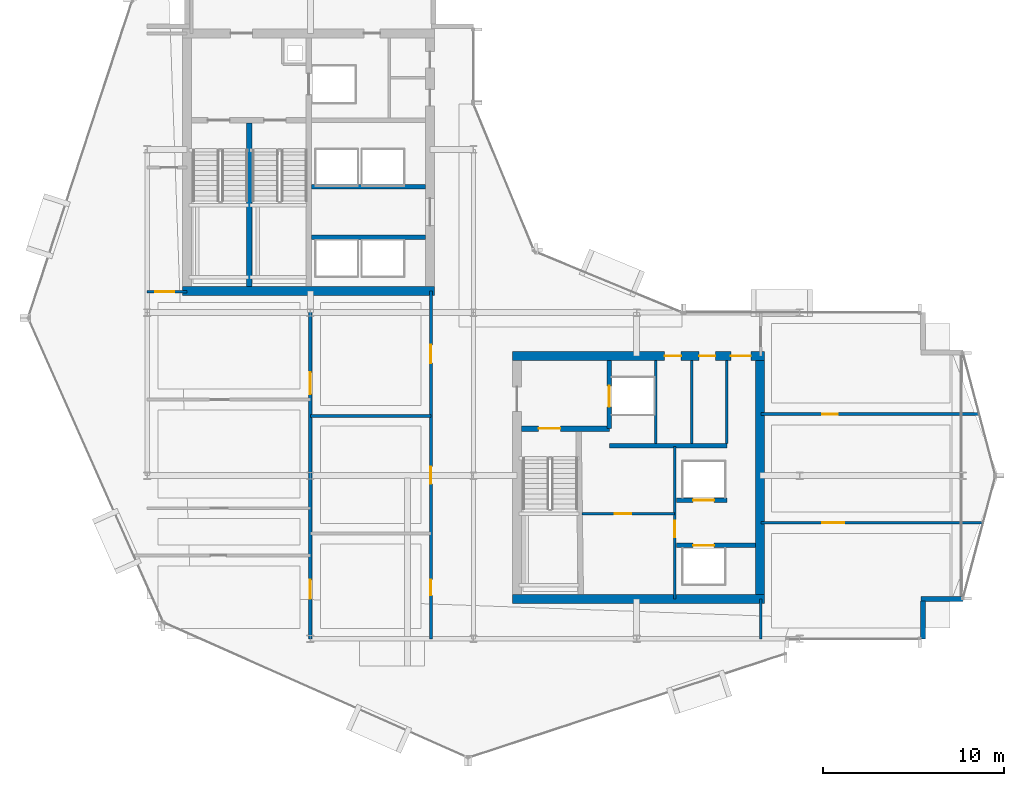
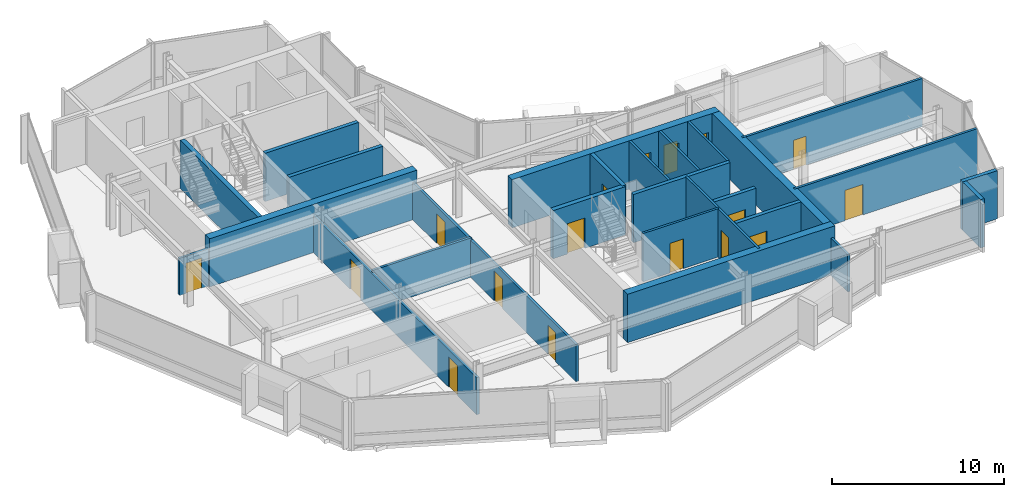
# One storey, part 20 of 27: 26 walls, 17 doors, 17 openings.
"""IFC4 building model written with IfcOpenShell, lengths in metres."""

from ifc_helpers import new_model, si_unit, direction, frame, frame_2d, origin, place, context, subcontext, project, spatial, rectangle, extrude, material, layer, layer_set, type_object, element, fill, save


model = new_model("IFC4")

# Units and contexts
model_context = context("Model", 3, precision=1e-05, world=origin(), true_north=direction((0.0, 1.0)))
body_context = subcontext(model_context, "Body", "Model", "MODEL_VIEW")
ifc_project = project(units=[si_unit("LENGTHUNIT", "METRE"), si_unit("AREAUNIT", "SQUARE_METRE"), si_unit("VOLUMEUNIT", "CUBIC_METRE"), si_unit("PLANEANGLEUNIT", "RADIAN"), si_unit("MASSUNIT", "GRAM", prefix="KILO")], contexts=[model_context])

# Site, building, storey
site_placement = place(None, origin())
site = spatial("IfcSite", under=ifc_project, at=site_placement, CompositionType="ELEMENT")
building_placement = place(site_placement, origin())
building = spatial("IfcBuilding", under=site, at=building_placement, Name="Solvaryn Broadcast Tower", CompositionType="ELEMENT")
storey_placement = place(building_placement, frame((0.0, 0.0, 174.199951171875)))
storey = spatial("IfcBuildingStorey", under=building, at=storey_placement, Name="L43", CompositionType="ELEMENT", Elevation=174.199951171875)

# Walls
ifc_material_1 = material(Name="Concrete f'c 70 MPa", Category="concrete")
ifc_layer_1 = layer(ifc_material_1, 0.5)
ifc_layer_set_1 = layer_set([ifc_layer_1], Name="CW-SHEAR-500")
wall_type_1 = type_object("IfcWallType", Name="CW-SHEAR-500", PredefinedType="SHEAR", material=ifc_layer_set_1)
for number, where, z_axis, x_axis, name in (
    (1, (10.949951171875, 28.199951171875, 0.0), (0.0, 0.0, 1.0), (1.0, 0.0, 0.0), "L43 West Core South Shear Wall"),
    (2, (29.14990234375, 11.199951171875, 0.0), (0.0, 0.0, 1.0), (1.0, 0.0, 0.0), "L43 East Core South Shear Wall"),
):
    element("IfcWall", number, at=place(storey_placement, frame(where, z_axis=z_axis, x_axis=x_axis)), inside=storey, type_object=wall_type_1, Name=name, PredefinedType="SHEAR", context=body_context, shape_type="SweptSolid", body=[
        extrude(rectangle(XDim=13.900146484375, YDim=0.5, at=frame_2d((6.9501953125, 0.0))), origin(), (0.0, 0.0, 1.0), 3.420166015625),
    ])

# Wall, openings, doors
wall_1_placement = place(storey_placement, frame((43.050048828125, 24.60009765625, 0.0), z_axis=(0.0, 0.0, 1.0), x_axis=(-1.0, 0.0, 0.0)))
wall_1 = element("IfcWall", 3, at=wall_1_placement, inside=storey, type_object=wall_type_1, Name="L43 East Core North Shear Wall", PredefinedType="SHEAR", context=body_context, shape_type="SweptSolid", body=[
    extrude(rectangle(XDim=13.900146484375, YDim=0.5, at=frame_2d((6.9501953125, 0.0))), origin(), (0.0, 0.0, 1.0), 3.420166015625),
])
opening_1_placement = place(wall_1_placement, frame((0.75, 0.0, 0.0)))
opening_1 = element("IfcOpeningElement", 4, at=opening_1_placement, cuts=wall_1, Name="Opening FD90C", PredefinedType="OPENING", context=body_context, shape_type="SweptSolid", body=[
    extrude(rectangle(XDim=1.10009765625, YDim=2.14990234375, at=frame_2d((0.550048828125, 1.074951171875))), frame((0.0, 0.260009765625, 0.0), z_axis=(0.0, -1.0, 0.0), x_axis=(1.0, 0.0, 0.0)), (0.0, 0.0, 1.0), 0.52001953125),
])
opening_2_placement = place(wall_1_placement, frame((2.699951171875, 0.0, 0.0)))
opening_2 = element("IfcOpeningElement", 5, at=opening_2_placement, cuts=wall_1, Name="Opening FD60C", PredefinedType="OPENING", context=body_context, shape_type="SweptSolid", body=[
    extrude(rectangle(XDim=0.89990234375, YDim=2.10009765625, at=frame_2d((0.449951171875, 1.050048828125))), frame((0.0, 0.260009765625, 0.0), z_axis=(0.0, -1.0, 0.0), x_axis=(1.0, 0.0, 0.0)), (0.0, 0.0, 1.0), 0.52001953125),
])
opening_3_placement = place(wall_1_placement, frame((4.60009765625, 0.0, 0.0)))
opening_3 = element("IfcOpeningElement", 6, at=opening_3_placement, cuts=wall_1, Name="Opening FD60C", PredefinedType="OPENING", context=body_context, shape_type="SweptSolid", body=[
    extrude(rectangle(XDim=0.89990234375, YDim=2.10009765625, at=frame_2d((0.449951171875, 1.050048828125))), frame((0.0, 0.260009765625, 0.0), z_axis=(0.0, -1.0, 0.0), x_axis=(1.0, 0.0, 0.0)), (0.0, 0.0, 1.0), 0.52001953125),
])
ifc_material_2 = material(Name="Flush Acoustic Steel and Timber Door Assembly", Category="steel")
door_type_1 = type_object("IfcDoorType", Name="FD60-SERV-900X2100", OperationType="NOTDEFINED", PredefinedType="DOOR", material=ifc_material_2)
door_1_placement = place(opening_2_placement, origin())
door_1 = element("IfcDoor", 7, at=door_1_placement, inside=storey, type_object=door_type_1, Name="L43 Staff Restroom Door", OperationType="SINGLE_SWING_LEFT", OverallHeight=2.10009765625, OverallWidth=0.89990234375, PredefinedType="DOOR", context=body_context, shape_type="SweptSolid", body=[
    extrude(rectangle(XDim=0.89990234375, YDim=2.10009765625, at=frame_2d((0.449951171875, 1.050048828125))), frame((0.0, 0.02490234375, 0.0), z_axis=(0.0, -1.0, 0.0), x_axis=(1.0, 0.0, 0.0)), (0.0, 0.0, 1.0), 0.050048828125),
])
fill(opening_2, door_1)
door_2_placement = place(opening_3_placement, origin())
door_2 = element("IfcDoor", 8, at=door_2_placement, inside=storey, type_object=door_type_1, Name="L43 Accessible WC Door", OperationType="SINGLE_SWING_RIGHT", OverallHeight=2.10009765625, OverallWidth=0.89990234375, PredefinedType="DOOR", context=body_context, shape_type="SweptSolid", body=[
    extrude(rectangle(XDim=0.89990234375, YDim=2.10009765625, at=frame_2d((0.449951171875, 1.050048828125))), frame((0.0, 0.02490234375, 0.0), z_axis=(0.0, -1.0, 0.0), x_axis=(1.0, 0.0, 0.0)), (0.0, 0.0, 1.0), 0.050048828125),
])
fill(opening_3, door_2)
ifc_material_3 = material(Name="Flush Acoustic Steel and Timber Door Assembly", Category="steel")
door_type_2 = type_object("IfcDoorType", Name="FD90-PLANT-1100X2150", OperationType="NOTDEFINED", PredefinedType="DOOR", material=ifc_material_3)
door_3_placement = place(opening_1_placement, origin())
door_3 = element("IfcDoor", 9, at=door_3_placement, inside=storey, type_object=door_type_2, Name="L43 East Core Lobby Corridor Door", OperationType="SINGLE_SWING_LEFT", OverallHeight=2.14990234375, OverallWidth=1.10009765625, PredefinedType="DOOR", context=body_context, shape_type="SweptSolid", body=[
    extrude(rectangle(XDim=1.10009765625, YDim=2.14990234375, at=frame_2d((0.550048828125, 1.074951171875))), frame((0.0, 0.02490234375, 0.0), z_axis=(0.0, -1.0, 0.0), x_axis=(1.0, 0.0, 0.0)), (0.0, 0.0, 1.0), 0.050048828125),
])
fill(opening_1, door_3)

# Walls
wall_2_placement = place(storey_placement, frame((42.800048828125, 11.449951171875, 0.0), z_axis=(0.0, 0.0, 1.0), x_axis=(0.0, 1.0, 0.0)))
element("IfcWall", 10, at=wall_2_placement, inside=storey, type_object=wall_type_1, Name="L43 East Core East Shear Wall", PredefinedType="SHEAR", context=body_context, shape_type="SweptSolid", body=[
    extrude(rectangle(XDim=12.900146484375, YDim=0.5, at=frame_2d((6.4501953125, 0.0))), origin(), (0.0, 0.0, 1.0), 3.420166015625),
])
ifc_material_4 = material(Name="Concrete f'c 50 MPa", Category="concrete")
ifc_layer_2 = layer(ifc_material_4, 0.260009765625)
ifc_layer_set_2 = layer_set([ifc_layer_2], Name="EW-PIER-260")
wall_type_2 = type_object("IfcWallType", Name="EW-PIER-260", PredefinedType="SOLIDWALL", material=ifc_layer_set_2)
wall_3_placement = place(storey_placement, frame((51.800048828125, 9.0, 0.0), z_axis=(0.0, 0.0, 1.0), x_axis=(0.0, 1.0, 0.0)))
element("IfcWall", 11, at=wall_3_placement, inside=storey, type_object=wall_type_2, Name="L43 Notched Corner Pier Wall NSE1", PredefinedType="SOLIDWALL", context=body_context, shape_type="SweptSolid", body=[
    extrude(rectangle(XDim=2.080078125, YDim=0.260009765625, at=frame_2d((1.0400390625, 0.0))), origin(), (0.0, 0.0, 1.0), 3.420166015625),
])
wall_4_placement = place(storey_placement, frame((51.679931640625, 11.199951171875, 0.0), z_axis=(0.0, 0.0, 1.0), x_axis=(1.0, 0.0, 0.0)))
element("IfcWall", 12, at=wall_4_placement, inside=storey, type_object=wall_type_2, Name="L43 Notched Corner Pier Wall NSE2", PredefinedType="SOLIDWALL", context=body_context, shape_type="SweptSolid", body=[
    extrude(rectangle(XDim=2.320068359375, YDim=0.260009765625, at=frame_2d((1.16015625, 0.0))), origin(), (0.0, 0.0, 1.0), 3.420166015625),
])

# Wall, opening, door
ifc_material_5 = material(Name="Metal-Stud Service Core Partition")
ifc_layer_3 = layer(ifc_material_5, 0.14990234375)
ifc_layer_set_3 = layer_set([ifc_layer_3], Name="IW-PART-150")
wall_type_3 = type_object("IfcWallType", Name="IW-PART-150", PredefinedType="PARTITIONING", material=ifc_layer_set_3)
wall_5_placement = place(storey_placement, frame((33.0, 15.89990234375, 0.0), z_axis=(0.0, 0.0, 1.0), x_axis=(1.0, 0.0, 0.0)))
wall_5 = element("IfcWall", 13, at=wall_5_placement, inside=storey, type_object=wall_type_3, Name="L43 Interior Partition IW-L43-RPL-H", PredefinedType="PARTITIONING", context=body_context, shape_type="SweptSolid", body=[
    extrude(rectangle(XDim=5.10009765625, YDim=0.14990234375, at=frame_2d((2.550048828125, 0.0))), origin(), (0.0, 0.0, 1.0), 3.420166015625),
])
opening_4_placement = place(wall_5_placement, frame((1.800048828125, 0.0, 0.0)))
opening_4 = element("IfcOpeningElement", 14, at=opening_4_placement, cuts=wall_5, Name="Opening FD60C", PredefinedType="OPENING", context=body_context, shape_type="SweptSolid", body=[
    extrude(rectangle(XDim=0.89990234375, YDim=2.10009765625, at=frame_2d((0.449951171875, 1.050048828125))), frame((0.0, 0.0849609375, 0.0), z_axis=(0.0, -1.0, 0.0), x_axis=(1.0, 0.0, 0.0)), (0.0, 0.0, 1.0), 0.169921875),
])
door_4_placement = place(opening_4_placement, origin())
door_4 = element("IfcDoor", 15, at=door_4_placement, inside=storey, type_object=door_type_1, Name="L43 Door DR-L43-RPL1", OperationType="SINGLE_SWING_LEFT", OverallHeight=2.10009765625, OverallWidth=0.89990234375, PredefinedType="DOOR", context=body_context, shape_type="SweptSolid", body=[
    extrude(rectangle(XDim=0.89990234375, YDim=2.10009765625, at=frame_2d((0.449951171875, 1.050048828125))), frame((0.0, 0.02490234375, 0.0), z_axis=(0.0, -1.0, 0.0), x_axis=(1.0, 0.0, 0.0)), (0.0, 0.0, 1.0), 0.050048828125),
])
fill(opening_4, door_4)

wall_6_placement = place(storey_placement, frame((38.10009765625, 11.199951171875, 0.0), z_axis=(0.0, 0.0, 1.0), x_axis=(0.0, 1.0, 0.0)))
wall_6 = element("IfcWall", 16, at=wall_6_placement, inside=storey, type_object=wall_type_3, Name="L43 Interior Partition IW-L43-RPL-E", PredefinedType="PARTITIONING", context=body_context, shape_type="SweptSolid", body=[
    extrude(rectangle(XDim=8.400146484375, YDim=0.14990234375, at=frame_2d((4.2001953125, 0.0))), origin(), (0.0, 0.0, 1.0), 3.420166015625),
])
opening_5_placement = place(wall_6_placement, frame((3.39990234375, 0.0, 0.0)))
opening_5 = element("IfcOpeningElement", 17, at=opening_5_placement, cuts=wall_6, Name="Opening FD60C", PredefinedType="OPENING", context=body_context, shape_type="SweptSolid", body=[
    extrude(rectangle(XDim=0.89990234375, YDim=2.10009765625, at=frame_2d((0.449951171875, 1.050048828125))), frame((0.0, 0.0849609375, 0.0), z_axis=(0.0, -1.0, 0.0), x_axis=(1.0, 0.0, 0.0)), (0.0, 0.0, 1.0), 0.169921875),
])
door_5_placement = place(opening_5_placement, origin())
door_5 = element("IfcDoor", 18, at=door_5_placement, inside=storey, type_object=door_type_1, Name="L43 Door DR-L43-RPL2", OperationType="SINGLE_SWING_RIGHT", OverallHeight=2.10009765625, OverallWidth=0.89990234375, PredefinedType="DOOR", context=body_context, shape_type="SweptSolid", body=[
    extrude(rectangle(XDim=0.89990234375, YDim=2.10009765625, at=frame_2d((0.449951171875, 1.050048828125))), frame((0.0, 0.02490234375, 0.0), z_axis=(0.0, -1.0, 0.0), x_axis=(1.0, 0.0, 0.0)), (0.0, 0.0, 1.0), 0.050048828125),
])
fill(opening_5, door_5)

# Walls
for number, where, z_axis, x_axis, name in (
    (19, (37.050048828125, 19.780029296875, 0.0), (0.0, 0.0, 1.0), (0.0, 1.0, 0.0), "L43 Interior Partition IW-L43-CE-FL2E"),
    (20, (39.050048828125, 19.780029296875, 0.0), (0.0, 0.0, 1.0), (0.0, 1.0, 0.0), "L43 Interior Partition IW-L43-CE-V1"),
    (21, (40.97998046875, 19.780029296875, 0.0), (0.0, 0.0, 1.0), (0.0, 1.0, 0.0), "L43 Interior Partition IW-L43-CE-V3"),
):
    element("IfcWall", number, at=place(storey_placement, frame(where, z_axis=z_axis, x_axis=x_axis)), inside=storey, type_object=wall_type_3, Name=name, PredefinedType="PARTITIONING", context=body_context, shape_type="SweptSolid", body=[
        extrude(rectangle(XDim=4.570068359375, YDim=0.14990234375, at=frame_2d((2.28515625, 0.0))), origin(), (0.0, 0.0, 1.0), 3.420166015625),
    ])

# Wall, opening, door
ifc_material_6 = material(Name="Metal-Stud Gypsum Office Partition")
ifc_layer_4 = layer(ifc_material_6, 0.159912109375)
ifc_layer_set_4 = layer_set([ifc_layer_4], Name="IW-PART-160")
wall_type_4 = type_object("IfcWallType", Name="IW-PART-160", PredefinedType="PARTITIONING", material=ifc_layer_set_4)
wall_7_placement = place(storey_placement, frame((9.0, 28.14990234375, 0.0), z_axis=(0.0, 0.0, 1.0), x_axis=(1.0, 0.0, 0.0)))
wall_7 = element("IfcWall", 22, at=wall_7_placement, inside=storey, type_object=wall_type_4, Name="L43 Interior Partition IW-L43-WM-S", PredefinedType="PARTITIONING", context=body_context, shape_type="SweptSolid", body=[
    extrude(rectangle(XDim=2.199951171875, YDim=0.159912109375, at=frame_2d((1.10009765625, 0.0))), origin(), (0.0, 0.0, 1.0), 2.634033203125),
])
opening_6_placement = place(wall_7_placement, frame((0.449951171875, 0.0, 0.0)))
opening_6 = element("IfcOpeningElement", 23, at=opening_6_placement, cuts=wall_7, Name="Opening ID03", PredefinedType="OPENING", context=body_context, shape_type="SweptSolid", body=[
    extrude(rectangle(XDim=1.050048828125, YDim=2.14990234375, at=frame_2d((0.52490234375, 1.074951171875))), frame((0.0, 0.090087890625, 0.0), z_axis=(0.0, -1.0, 0.0), x_axis=(1.0, 0.0, 0.0)), (0.0, 0.0, 1.0), 0.179931640625),
])
ifc_material_7 = material(Name="Flush Acoustic Steel and Timber Door Assembly", Category="steel")
door_type_3 = type_object("IfcDoorType", Name="ID-03-1050X2150", OperationType="NOTDEFINED", PredefinedType="DOOR", material=ifc_material_7)
door_6_placement = place(opening_6_placement, origin())
door_6 = element("IfcDoor", 24, at=door_6_placement, inside=storey, type_object=door_type_3, Name="L43 Door DR-L43-WM0", OperationType="SINGLE_SWING_RIGHT", OverallHeight=2.14990234375, OverallWidth=1.050048828125, PredefinedType="DOOR", context=body_context, shape_type="SweptSolid", body=[
    extrude(rectangle(XDim=1.050048828125, YDim=2.14990234375, at=frame_2d((0.52490234375, 1.074951171875))), frame((0.0, 0.02490234375, 0.0), z_axis=(0.0, -1.0, 0.0), x_axis=(1.0, 0.0, 0.0)), (0.0, 0.0, 1.0), 0.050048828125),
])
fill(opening_6, door_6)

# Wall, openings, doors
wall_8_placement = place(storey_placement, frame((24.64990234375, 9.0, 0.0), z_axis=(0.0, 0.0, 1.0), x_axis=(0.0, 1.0, 0.0)))
wall_8 = element("IfcWall", 25, at=wall_8_placement, inside=storey, type_object=wall_type_4, Name="L43 Interior Partition IW-L43-SW-EB", PredefinedType="PARTITIONING", context=body_context, shape_type="SweptSolid", body=[
    extrude(rectangle(XDim=19.199951171875, YDim=0.159912109375, at=frame_2d((9.60009765625, 0.0))), origin(), (0.0, 0.0, 1.0), 2.634033203125),
])
opening_7_placement = place(wall_8_placement, frame((2.39990234375, 0.0, 0.0)))
opening_7 = element("IfcOpeningElement", 26, at=opening_7_placement, cuts=wall_8, Name="Opening ID07", PredefinedType="OPENING", context=body_context, shape_type="SweptSolid", body=[
    extrude(rectangle(XDim=0.860107421875, YDim=2.050048828125, at=frame_2d((0.43017578125, 1.02490234375))), frame((0.0, 0.090087890625, 0.0), z_axis=(0.0, -1.0, 0.0), x_axis=(1.0, 0.0, 0.0)), (0.0, 0.0, 1.0), 0.179931640625),
])
opening_8_placement = place(wall_8_placement, frame((8.550048828125, 0.0, 0.0)))
opening_8 = element("IfcOpeningElement", 27, at=opening_8_placement, cuts=wall_8, Name="Opening ID01", PredefinedType="OPENING", context=body_context, shape_type="SweptSolid", body=[
    extrude(rectangle(XDim=0.949951171875, YDim=2.10009765625, at=frame_2d((0.47509765625, 1.050048828125))), frame((0.0, 0.090087890625, 0.0), z_axis=(0.0, -1.0, 0.0), x_axis=(1.0, 0.0, 0.0)), (0.0, 0.0, 1.0), 0.179931640625),
])
opening_9_placement = place(wall_8_placement, frame((15.215087890625, 0.0, 0.0)))
opening_9 = element("IfcOpeningElement", 28, at=opening_9_placement, cuts=wall_8, Name="Opening ID02", PredefinedType="OPENING", context=body_context, shape_type="SweptSolid", body=[
    extrude(rectangle(XDim=1.0, YDim=2.10009765625, at=frame_2d((0.5, 1.050048828125))), frame((0.0, 0.090087890625, 0.0), z_axis=(0.0, -1.0, 0.0), x_axis=(1.0, 0.0, 0.0)), (0.0, 0.0, 1.0), 0.179931640625),
])
ifc_material_8 = material(Name="Flush Acoustic Steel and Timber Door Assembly", Category="steel")
door_type_4 = type_object("IfcDoorType", Name="ID-01-950X2100", OperationType="NOTDEFINED", PredefinedType="DOOR", material=ifc_material_8)
door_7_placement = place(opening_8_placement, origin())
door_7 = element("IfcDoor", 29, at=door_7_placement, inside=storey, type_object=door_type_4, Name="L43 Door DR-L43-SWE-2", OperationType="SINGLE_SWING_LEFT", OverallHeight=2.10009765625, OverallWidth=0.949951171875, PredefinedType="DOOR", context=body_context, shape_type="SweptSolid", body=[
    extrude(rectangle(XDim=0.949951171875, YDim=2.10009765625, at=frame_2d((0.47509765625, 1.050048828125))), frame((0.0, 0.02490234375, 0.0), z_axis=(0.0, -1.0, 0.0), x_axis=(1.0, 0.0, 0.0)), (0.0, 0.0, 1.0), 0.050048828125),
])
fill(opening_8, door_7)
ifc_material_9 = material(Name="Flush Acoustic Steel and Timber Door Assembly", Category="steel")
door_type_5 = type_object("IfcDoorType", Name="ID-02-1000X2100", OperationType="NOTDEFINED", PredefinedType="DOOR", material=ifc_material_9)
door_8_placement = place(opening_9_placement, origin())
door_8 = element("IfcDoor", 30, at=door_8_placement, inside=storey, type_object=door_type_5, Name="L43 Door DR-L43-SWE-3", OperationType="SINGLE_SWING_RIGHT", OverallHeight=2.10009765625, OverallWidth=1.0, PredefinedType="DOOR", context=body_context, shape_type="SweptSolid", body=[
    extrude(rectangle(XDim=1.0, YDim=2.10009765625, at=frame_2d((0.5, 1.050048828125))), frame((0.0, 0.02490234375, 0.0), z_axis=(0.0, -1.0, 0.0), x_axis=(1.0, 0.0, 0.0)), (0.0, 0.0, 1.0), 0.050048828125),
])
fill(opening_9, door_8)
ifc_material_10 = material(Name="Flush Acoustic Steel and Timber Door Assembly", Category="steel")
door_type_6 = type_object("IfcDoorType", Name="ID-07-860X2050", OperationType="NOTDEFINED", PredefinedType="DOOR", material=ifc_material_10)
door_9_placement = place(opening_7_placement, origin())
door_9 = element("IfcDoor", 31, at=door_9_placement, inside=storey, type_object=door_type_6, Name="L43 Door DR-L43-SWE-1", OperationType="SINGLE_SWING_RIGHT", OverallHeight=2.050048828125, OverallWidth=0.860107421875, PredefinedType="DOOR", context=body_context, shape_type="SweptSolid", body=[
    extrude(rectangle(XDim=0.860107421875, YDim=2.050048828125, at=frame_2d((0.43017578125, 1.02490234375))), frame((0.0, 0.02490234375, 0.0), z_axis=(0.0, -1.0, 0.0), x_axis=(1.0, 0.0, 0.0)), (0.0, 0.0, 1.0), 0.050048828125),
])
fill(opening_7, door_9)

# Walls
wall_9_placement = place(storey_placement, frame((18.0, 21.300048828125, 0.0), z_axis=(0.0, 0.0, 1.0), x_axis=(1.0, 0.0, 0.0)))
element("IfcWall", 32, at=wall_9_placement, inside=storey, type_object=wall_type_4, Name="L43 Interior Partition IW-L43-SWE-H2", PredefinedType="PARTITIONING", context=body_context, shape_type="SweptSolid", body=[
    extrude(rectangle(XDim=6.64990234375, YDim=0.159912109375, at=frame_2d((3.324951171875, 0.0))), origin(), (0.0, 0.0, 1.0), 2.7919921875),
])
wall_10_placement = place(storey_placement, frame((42.85009765625, 9.0, 0.0), z_axis=(0.0, 0.0, 1.0), x_axis=(0.0, 1.0, 0.0)))
element("IfcWall", 33, at=wall_10_placement, inside=storey, type_object=wall_type_4, Name="L43 Interior Partition IW-L43-SC-E", PredefinedType="PARTITIONING", context=body_context, shape_type="SweptSolid", body=[
    extrude(rectangle(XDim=2.199951171875, YDim=0.159912109375, at=frame_2d((1.10009765625, 0.0))), origin(), (0.0, 0.0, 1.0), 2.634033203125),
])

# Wall, opening, door
wall_11_placement = place(storey_placement, frame((42.85009765625, 15.39990234375, 0.0), z_axis=(0.0, 0.0, 1.0), x_axis=(1.0, 0.0, 0.0)))
wall_11 = element("IfcWall", 34, at=wall_11_placement, inside=storey, type_object=wall_type_4, Name="L43 Interior Partition IW-L43-EW-H1", PredefinedType="PARTITIONING", context=body_context, shape_type="SweptSolid", body=[
    extrude(rectangle(XDim=12.261962890625, YDim=0.159912109375, at=frame_2d((6.130859375, 0.0))), origin(), (0.0, 0.0, 1.0), 3.420166015625),
])
opening_10_placement = place(wall_11_placement, frame((3.39990234375, 0.0, 0.0)))
opening_10 = element("IfcOpeningElement", 35, at=opening_10_placement, cuts=wall_11, Name="Opening ID04", PredefinedType="OPENING", context=body_context, shape_type="SweptSolid", body=[
    extrude(rectangle(XDim=1.199951171875, YDim=2.14990234375, at=frame_2d((0.60009765625, 1.074951171875))), frame((0.0, 0.090087890625, 0.0), z_axis=(0.0, -1.0, 0.0), x_axis=(1.0, 0.0, 0.0)), (0.0, 0.0, 1.0), 0.179931640625),
])
ifc_material_11 = material(Name="Flush Acoustic Steel and Timber Door Assembly", Category="steel")
door_type_7 = type_object("IfcDoorType", Name="ID-04-1200X2150", OperationType="NOTDEFINED", PredefinedType="DOOR", material=ifc_material_11)
door_10_placement = place(opening_10_placement, origin())
door_10 = element("IfcDoor", 36, at=door_10_placement, inside=storey, type_object=door_type_7, Name="L43 Door DR-L43-EW-1", OperationType="SINGLE_SWING_LEFT", OverallHeight=2.14990234375, OverallWidth=1.199951171875, PredefinedType="DOOR", context=body_context, shape_type="SweptSolid", body=[
    extrude(rectangle(XDim=1.199951171875, YDim=2.14990234375, at=frame_2d((0.60009765625, 1.074951171875))), frame((0.0, 0.02490234375, 0.0), z_axis=(0.0, -1.0, 0.0), x_axis=(1.0, 0.0, 0.0)), (0.0, 0.0, 1.0), 0.050048828125),
])
fill(opening_10, door_10)

wall_12_placement = place(storey_placement, frame((42.85009765625, 21.39990234375, 0.0), z_axis=(0.0, 0.0, 1.0), x_axis=(1.0, 0.0, 0.0)))
wall_12 = element("IfcWall", 37, at=wall_12_placement, inside=storey, type_object=wall_type_4, Name="L43 Interior Partition IW-L43-EW-H2", PredefinedType="PARTITIONING", context=body_context, shape_type="SweptSolid", body=[
    extrude(rectangle(XDim=12.0498046875, YDim=0.159912109375, at=frame_2d((6.02490234375, 0.0))), origin(), (0.0, 0.0, 1.0), 3.420166015625),
])
opening_11_placement = place(wall_12_placement, frame((3.39990234375, 0.0, 0.0)))
opening_11 = element("IfcOpeningElement", 38, at=opening_11_placement, cuts=wall_12, Name="Opening ID07", PredefinedType="OPENING", context=body_context, shape_type="SweptSolid", body=[
    extrude(rectangle(XDim=0.860107421875, YDim=2.050048828125, at=frame_2d((0.43017578125, 1.02490234375))), frame((0.0, 0.090087890625, 0.0), z_axis=(0.0, -1.0, 0.0), x_axis=(1.0, 0.0, 0.0)), (0.0, 0.0, 1.0), 0.179931640625),
])
door_11_placement = place(opening_11_placement, origin())
door_11 = element("IfcDoor", 39, at=door_11_placement, inside=storey, type_object=door_type_6, Name="L43 Door DR-L43-EW-2", OperationType="SINGLE_SWING_RIGHT", OverallHeight=2.050048828125, OverallWidth=0.860107421875, PredefinedType="DOOR", context=body_context, shape_type="SweptSolid", body=[
    extrude(rectangle(XDim=0.860107421875, YDim=2.050048828125, at=frame_2d((0.43017578125, 1.02490234375))), frame((0.0, 0.02490234375, 0.0), z_axis=(0.0, -1.0, 0.0), x_axis=(1.0, 0.0, 0.0)), (0.0, 0.0, 1.0), 0.050048828125),
])
fill(opening_11, door_11)

# Wall, openings, doors
ifc_material_12 = material(Name="Acoustic Metal-Stud Gypsum Partition")
ifc_layer_5 = layer(ifc_material_12, 0.179931640625)
ifc_layer_set_5 = layer_set([ifc_layer_5], Name="IW-PART-180")
wall_type_5 = type_object("IfcWallType", Name="IW-PART-180", PredefinedType="PARTITIONING", material=ifc_layer_set_5)
wall_13_placement = place(storey_placement, frame((18.0, 9.0, 0.0), z_axis=(0.0, 0.0, 1.0), x_axis=(0.0, 1.0, 0.0)))
wall_13 = element("IfcWall", 40, at=wall_13_placement, inside=storey, type_object=wall_type_5, Name="L43 Interior Partition IW-L43-SW-VX", PredefinedType="PARTITIONING", context=body_context, shape_type="SweptSolid", body=[
    extrude(rectangle(XDim=19.1298828125, YDim=0.179931640625, at=frame_2d((9.56494140625, 0.0))), origin(), (0.0, 0.0, 1.0), 2.634033203125),
])
opening_12_placement = place(wall_13_placement, frame((2.199951171875, 0.0, 0.0)))
opening_12 = element("IfcOpeningElement", 41, at=opening_12_placement, cuts=wall_13, Name="Opening ID03", PredefinedType="OPENING", context=body_context, shape_type="SweptSolid", body=[
    extrude(rectangle(XDim=1.050048828125, YDim=2.14990234375, at=frame_2d((0.52490234375, 1.074951171875))), frame((0.0, 0.099853515625, 0.0), z_axis=(0.0, -1.0, 0.0), x_axis=(1.0, 0.0, 0.0)), (0.0, 0.0, 1.0), 0.199951171875),
])
opening_13_placement = place(wall_13_placement, frame((13.5, 0.0, 0.0)))
opening_13 = element("IfcOpeningElement", 42, at=opening_13_placement, cuts=wall_13, Name="Opening ID04", PredefinedType="OPENING", context=body_context, shape_type="SweptSolid", body=[
    extrude(rectangle(XDim=1.199951171875, YDim=2.14990234375, at=frame_2d((0.60009765625, 1.074951171875))), frame((0.0, 0.099853515625, 0.0), z_axis=(0.0, -1.0, 0.0), x_axis=(1.0, 0.0, 0.0)), (0.0, 0.0, 1.0), 0.199951171875),
])
door_12_placement = place(opening_12_placement, origin())
door_12 = element("IfcDoor", 43, at=door_12_placement, inside=storey, type_object=door_type_3, Name="L43 Door DR-L43-SWW-X1", OperationType="SINGLE_SWING_LEFT", OverallHeight=2.14990234375, OverallWidth=1.050048828125, PredefinedType="DOOR", context=body_context, shape_type="SweptSolid", body=[
    extrude(rectangle(XDim=1.050048828125, YDim=2.14990234375, at=frame_2d((0.52490234375, 1.074951171875))), frame((0.0, 0.02490234375, 0.0), z_axis=(0.0, -1.0, 0.0), x_axis=(1.0, 0.0, 0.0)), (0.0, 0.0, 1.0), 0.050048828125),
])
fill(opening_12, door_12)
door_13_placement = place(opening_13_placement, origin())
door_13 = element("IfcDoor", 44, at=door_13_placement, inside=storey, type_object=door_type_7, Name="L43 Door DR-L43-SWW-X2", OperationType="SINGLE_SWING_RIGHT", OverallHeight=2.14990234375, OverallWidth=1.199951171875, PredefinedType="DOOR", context=body_context, shape_type="SweptSolid", body=[
    extrude(rectangle(XDim=1.199951171875, YDim=2.14990234375, at=frame_2d((0.60009765625, 1.074951171875))), frame((0.0, 0.02490234375, 0.0), z_axis=(0.0, -1.0, 0.0), x_axis=(1.0, 0.0, 0.0)), (0.0, 0.0, 1.0), 0.050048828125),
])
fill(opening_13, door_13)

# Walls
ifc_material_13 = material(Name="Concrete f'c 60 MPa", Category="concrete")
ifc_layer_6 = layer(ifc_material_13, 0.25)
ifc_layer_set_6 = layer_set([ifc_layer_6], Name="SW-SHAFT-250")
wall_type_6 = type_object("IfcWallType", Name="SW-SHAFT-250", PredefinedType="PARTITIONING", material=ifc_layer_set_6)
for number, where, z_axis, x_axis, name in (
    (45, (18.070068359375, 31.14990234375, 0.0), (0.0, 0.0, 1.0), (1.0, 0.0, 0.0), "L43 High-Rise Lift Bank South Wall"),
    (46, (24.35009765625, 33.949951171875, 0.0), (0.0, 0.0, 1.0), (-1.0, 0.0, 0.0), "L43 High-Rise Lift Bank North Wall"),
):
    element("IfcWall", number, at=place(storey_placement, frame(where, z_axis=z_axis, x_axis=x_axis)), inside=storey, type_object=wall_type_6, Name=name, PredefinedType="PARTITIONING", context=body_context, shape_type="SweptSolid", body=[
        extrude(rectangle(XDim=6.280029296875, YDim=0.25, at=frame_2d((3.14013671875, 0.0))), origin(), (0.0, 0.0, 1.0), 3.420166015625),
    ])

# Wall, opening, door
wall_14_placement = place(storey_placement, frame((34.5, 20.60009765625, 0.0), z_axis=(0.0, 0.0, 1.0), x_axis=(0.0, 1.0, 0.0)))
wall_14 = element("IfcWall", 47, at=wall_14_placement, inside=storey, type_object=wall_type_6, Name="L43 East FSAE Lobby East Wall", PredefinedType="PARTITIONING", context=body_context, shape_type="SweptSolid", body=[
    extrude(rectangle(XDim=3.75, YDim=0.25, at=frame_2d((1.875, 0.0))), origin(), (0.0, 0.0, 1.0), 3.420166015625),
])
opening_14_placement = place(wall_14_placement, frame((1.199951171875, 0.0, 0.0)))
opening_14 = element("IfcOpeningElement", 48, at=opening_14_placement, cuts=wall_14, Name="Opening LD01", PredefinedType="OPENING", context=body_context, shape_type="SweptSolid", body=[
    extrude(rectangle(XDim=1.14990234375, YDim=2.14990234375, at=frame_2d((0.574951171875, 1.074951171875))), frame((0.0, 0.135009765625, 0.0), z_axis=(0.0, -1.0, 0.0), x_axis=(1.0, 0.0, 0.0)), (0.0, 0.0, 1.0), 0.27001953125),
])
ifc_material_14 = material(Name="Flush Acoustic Steel and Timber Door Assembly", Category="steel")
door_type_8 = type_object("IfcDoorType", Name="LD-LIFT-1150X2150", OperationType="NOTDEFINED", PredefinedType="DOOR", material=ifc_material_14)
door_14_placement = place(opening_14_placement, origin())
door_14 = element("IfcDoor", 49, at=door_14_placement, inside=storey, type_object=door_type_8, Name="L43 FL2 Lift Landing Door", OperationType="DOUBLE_DOOR_SLIDING", OverallHeight=2.14990234375, OverallWidth=1.14990234375, PredefinedType="DOOR", context=body_context, shape_type="SweptSolid", body=[
    extrude(rectangle(XDim=1.14990234375, YDim=2.14990234375, at=frame_2d((0.574951171875, 1.074951171875))), frame((0.0, 0.02490234375, 0.0), z_axis=(0.0, -1.0, 0.0), x_axis=(1.0, 0.0, 0.0)), (0.0, 0.0, 1.0), 0.050048828125),
])
fill(opening_14, door_14)

# Wall
wall_15_placement = place(storey_placement, frame((34.5, 19.64990234375, 0.0), z_axis=(0.0, 0.0, 1.0), x_axis=(1.0, 0.0, 0.0)))
element("IfcWall", 50, at=wall_15_placement, inside=storey, type_object=wall_type_6, Name="L43 East Core Restroom South Wall", PredefinedType="PARTITIONING", context=body_context, shape_type="SweptSolid", body=[
    extrude(rectangle(XDim=6.47998046875, YDim=0.25, at=frame_2d((3.239990234375, 0.0))), origin(), (0.0, 0.0, 1.0), 3.420166015625),
])

# Wall, opening, door
wall_16_placement = place(storey_placement, frame((38.199951171875, 14.14990234375, 0.0), z_axis=(0.0, 0.0, 1.0), x_axis=(1.0, 0.0, 0.0)))
wall_16 = element("IfcWall", 51, at=wall_16_placement, inside=storey, type_object=wall_type_6, Name="L43 East Lift Bank South Wall", PredefinedType="PARTITIONING", context=body_context, shape_type="SweptSolid", body=[
    extrude(rectangle(XDim=4.35009765625, YDim=0.25, at=frame_2d((2.175048828125, 0.0))), origin(), (0.0, 0.0, 1.0), 3.420166015625),
])
opening_15_placement = place(wall_16_placement, frame((0.925048828125, 0.0, 0.0)))
opening_15 = element("IfcOpeningElement", 52, at=opening_15_placement, cuts=wall_16, Name="Opening LD01", PredefinedType="OPENING", context=body_context, shape_type="SweptSolid", body=[
    extrude(rectangle(XDim=1.14990234375, YDim=2.14990234375, at=frame_2d((0.574951171875, 1.074951171875))), frame((0.0, 0.135009765625, 0.0), z_axis=(0.0, -1.0, 0.0), x_axis=(1.0, 0.0, 0.0)), (0.0, 0.0, 1.0), 0.27001953125),
])
door_15_placement = place(opening_15_placement, origin())
door_15 = element("IfcDoor", 53, at=door_15_placement, inside=storey, type_object=door_type_8, Name="L43 PM1 Lift Landing Door", OperationType="DOUBLE_DOOR_SLIDING", OverallHeight=2.14990234375, OverallWidth=1.14990234375, PredefinedType="DOOR", context=body_context, shape_type="SweptSolid", body=[
    extrude(rectangle(XDim=1.14990234375, YDim=2.14990234375, at=frame_2d((0.574951171875, 1.074951171875))), frame((0.0, 0.02490234375, 0.0), z_axis=(0.0, -1.0, 0.0), x_axis=(1.0, 0.0, 0.0)), (0.0, 0.0, 1.0), 0.050048828125),
])
fill(opening_15, door_15)

wall_17_placement = place(storey_placement, frame((40.97998046875, 16.64990234375, 0.0), z_axis=(0.0, 0.0, 1.0), x_axis=(-1.0, 0.0, 0.0)))
wall_17 = element("IfcWall", 54, at=wall_17_placement, inside=storey, type_object=wall_type_6, Name="L43 East Lift Bank North Wall", PredefinedType="PARTITIONING", context=body_context, shape_type="SweptSolid", body=[
    extrude(rectangle(XDim=2.780029296875, YDim=0.25, at=frame_2d((1.39013671875, 0.0))), origin(), (0.0, 0.0, 1.0), 3.420166015625),
])
opening_16_placement = place(wall_17_placement, frame((0.705078125, 0.0, 0.0)))
opening_16 = element("IfcOpeningElement", 55, at=opening_16_placement, cuts=wall_17, Name="Opening LD01", PredefinedType="OPENING", context=body_context, shape_type="SweptSolid", body=[
    extrude(rectangle(XDim=1.14990234375, YDim=2.14990234375, at=frame_2d((0.574951171875, 1.074951171875))), frame((0.0, 0.135009765625, 0.0), z_axis=(0.0, -1.0, 0.0), x_axis=(1.0, 0.0, 0.0)), (0.0, 0.0, 1.0), 0.27001953125),
])
door_16_placement = place(opening_16_placement, origin())
door_16 = element("IfcDoor", 56, at=door_16_placement, inside=storey, type_object=door_type_8, Name="L43 PM2 Lift Landing Door", OperationType="DOUBLE_DOOR_SLIDING", OverallHeight=2.14990234375, OverallWidth=1.14990234375, PredefinedType="DOOR", context=body_context, shape_type="SweptSolid", body=[
    extrude(rectangle(XDim=1.14990234375, YDim=2.14990234375, at=frame_2d((0.574951171875, 1.074951171875))), frame((0.0, 0.02490234375, 0.0), z_axis=(0.0, -1.0, 0.0), x_axis=(1.0, 0.0, 0.0)), (0.0, 0.0, 1.0), 0.050048828125),
])
fill(opening_16, door_16)

# Wall
ifc_material_15 = material(Name="Concrete f'c 70 MPa", Category="concrete")
ifc_layer_7 = layer(ifc_material_15, 0.300048828125)
ifc_layer_set_7 = layer_set([ifc_layer_7], Name="SW-SHAFT-300")
wall_type_7 = type_object("IfcWallType", Name="SW-SHAFT-300", PredefinedType="SHEAR", material=ifc_layer_set_7)
wall_18_placement = place(storey_placement, frame((14.6201171875, 28.449951171875, 0.0), z_axis=(0.0, 0.0, 1.0), x_axis=(0.0, 1.0, 0.0)))
element("IfcWall", 57, at=wall_18_placement, inside=storey, type_object=wall_type_7, Name="L43 Stair 1-2 Dividing Wall", PredefinedType="SHEAR", context=body_context, shape_type="SweptSolid", body=[
    extrude(rectangle(XDim=9.0, YDim=0.300048828125, at=frame_2d((4.5, 0.0))), origin(), (0.0, 0.0, 1.0), 3.420166015625),
])

# Wall, opening, door
wall_19_placement = place(storey_placement, frame((34.5, 20.60009765625, 0.0), z_axis=(0.0, 0.0, 1.0), x_axis=(-1.0, 0.0, 0.0)))
wall_19 = element("IfcWall", 58, at=wall_19_placement, inside=storey, type_object=wall_type_7, Name="L43 East FSAE Lobby South Wall", PredefinedType="SHEAR", context=body_context, shape_type="SweptSolid", body=[
    extrude(rectangle(XDim=4.85009765625, YDim=0.300048828125, at=frame_2d((2.425048828125, 0.0))), origin(), (0.0, 0.0, 1.0), 3.420166015625),
])
opening_17_placement = place(wall_19_placement, frame((2.699951171875, 0.0, 0.0)))
opening_17 = element("IfcOpeningElement", 59, at=opening_17_placement, cuts=wall_19, Name="Opening FD90A", PredefinedType="OPENING", context=body_context, shape_type="SweptSolid", body=[
    extrude(rectangle(XDim=1.199951171875, YDim=2.14990234375, at=frame_2d((0.60009765625, 1.074951171875))), frame((0.0, 0.159912109375, 0.0), z_axis=(0.0, -1.0, 0.0), x_axis=(1.0, 0.0, 0.0)), (0.0, 0.0, 1.0), 0.320068359375),
])
ifc_material_16 = material(Name="Flush Acoustic Steel and Timber Door Assembly", Category="steel")
door_type_9 = type_object("IfcDoorType", Name="FD90-STAIR-1200X2150", OperationType="NOTDEFINED", PredefinedType="DOOR", material=ifc_material_16)
door_17_placement = place(opening_17_placement, origin())
door_17 = element("IfcDoor", 60, at=door_17_placement, inside=storey, type_object=door_type_9, Name="L43 Stair 3 Fire Door", OperationType="SINGLE_SWING_LEFT", OverallHeight=2.14990234375, OverallWidth=1.199951171875, PredefinedType="DOOR", context=body_context, shape_type="SweptSolid", body=[
    extrude(rectangle(XDim=1.199951171875, YDim=2.14990234375, at=frame_2d((0.60009765625, 1.074951171875))), frame((0.0, 0.02490234375, 0.0), z_axis=(0.0, -1.0, 0.0), x_axis=(1.0, 0.0, 0.0)), (0.0, 0.0, 1.0), 0.050048828125),
])
fill(opening_17, door_17)

save(model, "model.ifc")
